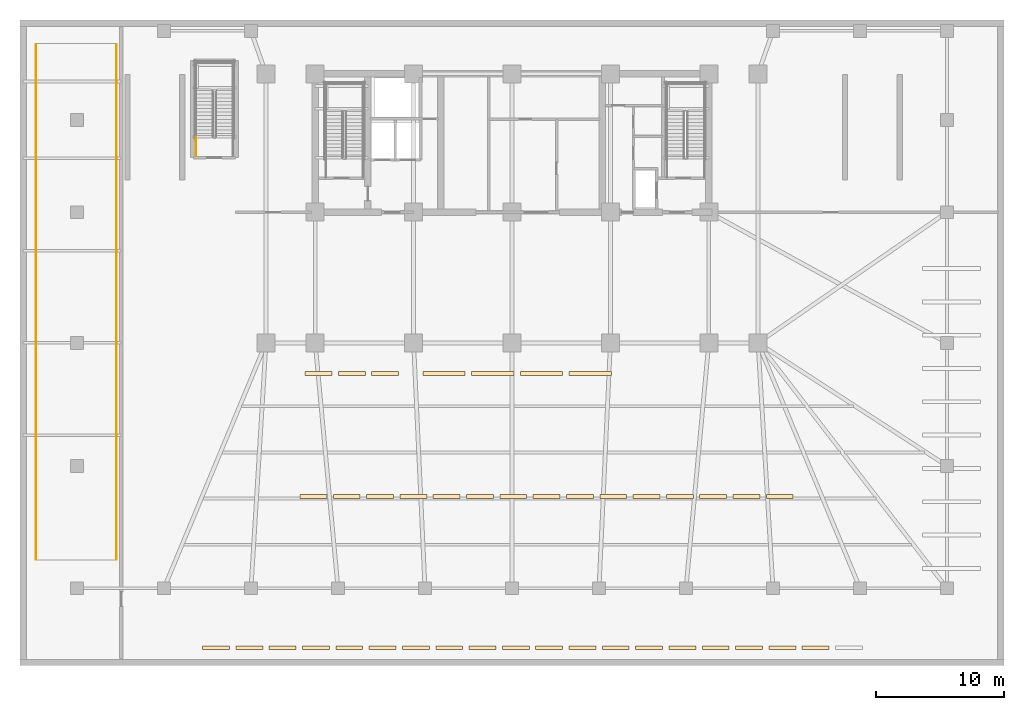
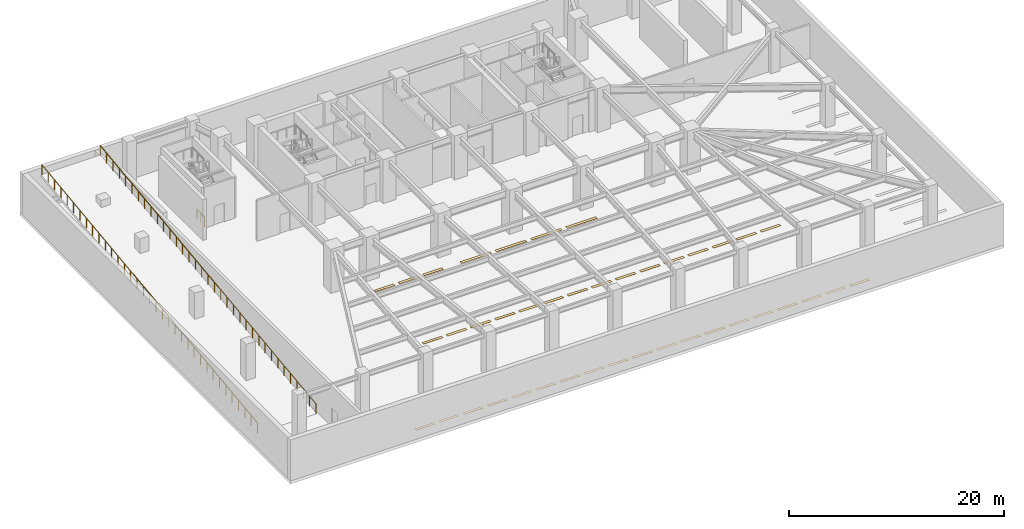
# One storey, part 5 of 8: 41 coverings, 3 railings.
"""IFC4 building model written with IfcOpenShell, lengths in metres."""

from ifc_helpers import new_model, si_unit, direction, frame, origin, origin_2d, place, context, subcontext, project, spatial, polyline, circle, outline, extrude, material, layer, layer_set, type_object, element, save


model = new_model("IFC4")

# Units and contexts
model_context = context("Model", 3, precision=1e-05, world=origin(), true_north=direction((0.0, 1.0)))
body_context = subcontext(model_context, "Body", "Model", "MODEL_VIEW")
ifc_project = project(units=[si_unit("LENGTHUNIT", "METRE"), si_unit("AREAUNIT", "SQUARE_METRE"), si_unit("VOLUMEUNIT", "CUBIC_METRE"), si_unit("PLANEANGLEUNIT", "RADIAN"), si_unit("MASSUNIT", "GRAM", prefix="KILO")], contexts=[model_context])

# Site, building, storey
site_placement = place(None, origin())
site = spatial("IfcSite", under=ifc_project, at=site_placement, CompositionType="ELEMENT")
building_placement = place(site_placement, origin())
building = spatial("IfcBuilding", under=site, at=building_placement, Name="Yelkora Congress Tower", CompositionType="ELEMENT")
storey_placement = place(building_placement, frame((0.0, 0.0, -5.0)))
storey = spatial("IfcBuildingStorey", under=building, at=storey_placement, Name="B01", CompositionType="ELEMENT", Elevation=-5.0)

# Coverings
ifc_material_1 = material(Name="Epoxy Resin Traffic Coating Grade E40", Category="plastic")
ifc_layer_1 = layer(ifc_material_1, 0.010009765625)
ifc_layer_set_1 = layer_set([ifc_layer_1], Name="Epoxy Resin Traffic Coating Grade E40")
covering_type = type_object("IfcCoveringType", Name="COV-PARK-BAY-10", PredefinedType="FLOORING", material=ifc_layer_set_1)
covering_1_placement = place(storey_placement, origin())
element("IfcCovering", 1, at=covering_1_placement, inside=storey, type_object=covering_type, Name="Parking Bay Marking PK-S01", PredefinedType="FLOORING", context=body_context, shape_type="SweptSolid", body=[
    extrude(outline(polyline([(14.25, 1.25), (16.35009765625, 1.25), (16.35009765625, 1.550048828125), (14.25, 1.550048828125), (14.25, 1.25)])), origin(), (0.0, 0.0, 1.0), 0.010009765625),
])
covering_2_placement = place(storey_placement, origin())
element("IfcCovering", 2, at=covering_2_placement, inside=storey, type_object=covering_type, Name="Parking Bay Marking PK-S02", PredefinedType="FLOORING", context=body_context, shape_type="SweptSolid", body=[
    extrude(outline(polyline([(16.85009765625, 1.25), (18.949951171875, 1.25), (18.949951171875, 1.550048828125), (16.85009765625, 1.550048828125), (16.85009765625, 1.25)])), origin(), (0.0, 0.0, 1.0), 0.010009765625),
])
covering_3_placement = place(storey_placement, origin())
element("IfcCovering", 3, at=covering_3_placement, inside=storey, type_object=covering_type, Name="Parking Bay Marking PK-S03", PredefinedType="FLOORING", context=body_context, shape_type="SweptSolid", body=[
    extrude(outline(polyline([(19.449951171875, 1.25), (21.550048828125, 1.25), (21.550048828125, 1.550048828125), (19.449951171875, 1.550048828125), (19.449951171875, 1.25)])), origin(), (0.0, 0.0, 1.0), 0.010009765625),
])
covering_4_placement = place(storey_placement, origin())
element("IfcCovering", 4, at=covering_4_placement, inside=storey, type_object=covering_type, Name="Parking Bay Marking PK-S04", PredefinedType="FLOORING", context=body_context, shape_type="SweptSolid", body=[
    extrude(outline(polyline([(22.050048828125, 1.25), (24.14990234375, 1.25), (24.14990234375, 1.550048828125), (22.050048828125, 1.550048828125), (22.050048828125, 1.25)])), origin(), (0.0, 0.0, 1.0), 0.010009765625),
])
covering_5_placement = place(storey_placement, origin())
element("IfcCovering", 5, at=covering_5_placement, inside=storey, type_object=covering_type, Name="Parking Bay Marking PK-S05", PredefinedType="FLOORING", context=body_context, shape_type="SweptSolid", body=[
    extrude(outline(polyline([(24.64990234375, 1.25), (26.75, 1.25), (26.75, 1.550048828125), (24.64990234375, 1.550048828125), (24.64990234375, 1.25)])), origin(), (0.0, 0.0, 1.0), 0.010009765625),
])
covering_6_placement = place(storey_placement, origin())
element("IfcCovering", 6, at=covering_6_placement, inside=storey, type_object=covering_type, Name="Parking Bay Marking PK-S06", PredefinedType="FLOORING", context=body_context, shape_type="SweptSolid", body=[
    extrude(outline(polyline([(27.25, 1.25), (29.35009765625, 1.25), (29.35009765625, 1.550048828125), (27.25, 1.550048828125), (27.25, 1.25)])), origin(), (0.0, 0.0, 1.0), 0.010009765625),
])
covering_7_placement = place(storey_placement, origin())
element("IfcCovering", 7, at=covering_7_placement, inside=storey, type_object=covering_type, Name="Parking Bay Marking PK-S07", PredefinedType="FLOORING", context=body_context, shape_type="SweptSolid", body=[
    extrude(outline(polyline([(29.85009765625, 1.25), (31.949951171875, 1.25), (31.949951171875, 1.550048828125), (29.85009765625, 1.550048828125), (29.85009765625, 1.25)])), origin(), (0.0, 0.0, 1.0), 0.010009765625),
])
covering_8_placement = place(storey_placement, origin())
element("IfcCovering", 8, at=covering_8_placement, inside=storey, type_object=covering_type, Name="Parking Bay Marking PK-S08", PredefinedType="FLOORING", context=body_context, shape_type="SweptSolid", body=[
    extrude(outline(polyline([(32.449951171875, 1.25), (34.550048828125, 1.25), (34.550048828125, 1.550048828125), (32.449951171875, 1.550048828125), (32.449951171875, 1.25)])), origin(), (0.0, 0.0, 1.0), 0.010009765625),
])
covering_9_placement = place(storey_placement, origin())
element("IfcCovering", 9, at=covering_9_placement, inside=storey, type_object=covering_type, Name="Parking Bay Marking PK-S09", PredefinedType="FLOORING", context=body_context, shape_type="SweptSolid", body=[
    extrude(outline(polyline([(35.050048828125, 1.25), (37.14990234375, 1.25), (37.14990234375, 1.550048828125), (35.050048828125, 1.550048828125), (35.050048828125, 1.25)])), origin(), (0.0, 0.0, 1.0), 0.010009765625),
])
covering_10_placement = place(storey_placement, origin())
element("IfcCovering", 10, at=covering_10_placement, inside=storey, type_object=covering_type, Name="Parking Bay Marking PK-S10", PredefinedType="FLOORING", context=body_context, shape_type="SweptSolid", body=[
    extrude(outline(polyline([(37.64990234375, 1.25), (39.75, 1.25), (39.75, 1.550048828125), (37.64990234375, 1.550048828125), (37.64990234375, 1.25)])), origin(), (0.0, 0.0, 1.0), 0.010009765625),
])
covering_11_placement = place(storey_placement, origin())
element("IfcCovering", 11, at=covering_11_placement, inside=storey, type_object=covering_type, Name="Parking Bay Marking PK-S11", PredefinedType="FLOORING", context=body_context, shape_type="SweptSolid", body=[
    extrude(outline(polyline([(40.25, 1.25), (42.35009765625, 1.25), (42.35009765625, 1.550048828125), (40.25, 1.550048828125), (40.25, 1.25)])), origin(), (0.0, 0.0, 1.0), 0.010009765625),
])
covering_12_placement = place(storey_placement, origin())
element("IfcCovering", 12, at=covering_12_placement, inside=storey, type_object=covering_type, Name="Parking Bay Marking PK-S12", PredefinedType="FLOORING", context=body_context, shape_type="SweptSolid", body=[
    extrude(outline(polyline([(42.85009765625, 1.25), (44.949951171875, 1.25), (44.949951171875, 1.550048828125), (42.85009765625, 1.550048828125), (42.85009765625, 1.25)])), origin(), (0.0, 0.0, 1.0), 0.010009765625),
])
covering_13_placement = place(storey_placement, origin())
element("IfcCovering", 13, at=covering_13_placement, inside=storey, type_object=covering_type, Name="Parking Bay Marking PK-S13", PredefinedType="FLOORING", context=body_context, shape_type="SweptSolid", body=[
    extrude(outline(polyline([(45.449951171875, 1.25), (47.550048828125, 1.25), (47.550048828125, 1.550048828125), (45.449951171875, 1.550048828125), (45.449951171875, 1.25)])), origin(), (0.0, 0.0, 1.0), 0.010009765625),
])
covering_14_placement = place(storey_placement, origin())
element("IfcCovering", 14, at=covering_14_placement, inside=storey, type_object=covering_type, Name="Parking Bay Marking PK-S14", PredefinedType="FLOORING", context=body_context, shape_type="SweptSolid", body=[
    extrude(outline(polyline([(48.050048828125, 1.25), (50.14990234375, 1.25), (50.14990234375, 1.550048828125), (48.050048828125, 1.550048828125), (48.050048828125, 1.25)])), origin(), (0.0, 0.0, 1.0), 0.010009765625),
])
covering_15_placement = place(storey_placement, origin())
element("IfcCovering", 15, at=covering_15_placement, inside=storey, type_object=covering_type, Name="Parking Bay Marking PK-S15", PredefinedType="FLOORING", context=body_context, shape_type="SweptSolid", body=[
    extrude(outline(polyline([(50.64990234375, 1.25), (52.75, 1.25), (52.75, 1.550048828125), (50.64990234375, 1.550048828125), (50.64990234375, 1.25)])), origin(), (0.0, 0.0, 1.0), 0.010009765625),
])
covering_16_placement = place(storey_placement, origin())
element("IfcCovering", 16, at=covering_16_placement, inside=storey, type_object=covering_type, Name="Parking Bay Marking PK-S16", PredefinedType="FLOORING", context=body_context, shape_type="SweptSolid", body=[
    extrude(outline(polyline([(53.25, 1.25), (55.35009765625, 1.25), (55.35009765625, 1.550048828125), (53.25, 1.550048828125), (53.25, 1.25)])), origin(), (0.0, 0.0, 1.0), 0.010009765625),
])
covering_17_placement = place(storey_placement, origin())
element("IfcCovering", 17, at=covering_17_placement, inside=storey, type_object=covering_type, Name="Parking Bay Marking PK-S17", PredefinedType="FLOORING", context=body_context, shape_type="SweptSolid", body=[
    extrude(outline(polyline([(55.85009765625, 1.25), (57.949951171875, 1.25), (57.949951171875, 1.550048828125), (55.85009765625, 1.550048828125), (55.85009765625, 1.25)])), origin(), (0.0, 0.0, 1.0), 0.010009765625),
])
covering_18_placement = place(storey_placement, origin())
element("IfcCovering", 18, at=covering_18_placement, inside=storey, type_object=covering_type, Name="Parking Bay Marking PK-S18", PredefinedType="FLOORING", context=body_context, shape_type="SweptSolid", body=[
    extrude(outline(polyline([(58.449951171875, 1.25), (60.550048828125, 1.25), (60.550048828125, 1.550048828125), (58.449951171875, 1.550048828125), (58.449951171875, 1.25)])), origin(), (0.0, 0.0, 1.0), 0.010009765625),
])
covering_19_placement = place(storey_placement, origin())
element("IfcCovering", 19, at=covering_19_placement, inside=storey, type_object=covering_type, Name="Parking Bay Marking PK-S19", PredefinedType="FLOORING", context=body_context, shape_type="SweptSolid", body=[
    extrude(outline(polyline([(61.050048828125, 1.25), (63.14990234375, 1.25), (63.14990234375, 1.550048828125), (61.050048828125, 1.550048828125), (61.050048828125, 1.25)])), origin(), (0.0, 0.0, 1.0), 0.010009765625),
])
covering_20_placement = place(storey_placement, origin())
element("IfcCovering", 20, at=covering_20_placement, inside=storey, type_object=covering_type, Name="Parking Bay Marking PK-S31", PredefinedType="FLOORING", context=body_context, shape_type="SweptSolid", body=[
    extrude(outline(polyline([(21.85009765625, 13.050048828125), (23.949951171875, 13.050048828125), (23.949951171875, 13.35009765625), (21.85009765625, 13.35009765625), (21.85009765625, 13.050048828125)])), origin(), (0.0, 0.0, 1.0), 0.010009765625),
])
covering_21_placement = place(storey_placement, origin())
element("IfcCovering", 21, at=covering_21_placement, inside=storey, type_object=covering_type, Name="Parking Bay Marking PK-S32", PredefinedType="FLOORING", context=body_context, shape_type="SweptSolid", body=[
    extrude(outline(polyline([(24.449951171875, 13.050048828125), (26.550048828125, 13.050048828125), (26.550048828125, 13.35009765625), (24.449951171875, 13.35009765625), (24.449951171875, 13.050048828125)])), origin(), (0.0, 0.0, 1.0), 0.010009765625),
])
covering_22_placement = place(storey_placement, origin())
element("IfcCovering", 22, at=covering_22_placement, inside=storey, type_object=covering_type, Name="Parking Bay Marking PK-S33", PredefinedType="FLOORING", context=body_context, shape_type="SweptSolid", body=[
    extrude(outline(polyline([(27.050048828125, 13.050048828125), (29.14990234375, 13.050048828125), (29.14990234375, 13.35009765625), (27.050048828125, 13.35009765625), (27.050048828125, 13.050048828125)])), origin(), (0.0, 0.0, 1.0), 0.010009765625),
])
covering_23_placement = place(storey_placement, origin())
element("IfcCovering", 23, at=covering_23_placement, inside=storey, type_object=covering_type, Name="Parking Bay Marking PK-S34", PredefinedType="FLOORING", context=body_context, shape_type="SweptSolid", body=[
    extrude(outline(polyline([(29.64990234375, 13.050048828125), (31.75, 13.050048828125), (31.75, 13.35009765625), (29.64990234375, 13.35009765625), (29.64990234375, 13.050048828125)])), origin(), (0.0, 0.0, 1.0), 0.010009765625),
])
covering_24_placement = place(storey_placement, origin())
element("IfcCovering", 24, at=covering_24_placement, inside=storey, type_object=covering_type, Name="Parking Bay Marking PK-S35", PredefinedType="FLOORING", context=body_context, shape_type="SweptSolid", body=[
    extrude(outline(polyline([(32.25, 13.050048828125), (34.35009765625, 13.050048828125), (34.35009765625, 13.35009765625), (32.25, 13.35009765625), (32.25, 13.050048828125)])), origin(), (0.0, 0.0, 1.0), 0.010009765625),
])
covering_25_placement = place(storey_placement, origin())
element("IfcCovering", 25, at=covering_25_placement, inside=storey, type_object=covering_type, Name="Parking Bay Marking PK-S36", PredefinedType="FLOORING", context=body_context, shape_type="SweptSolid", body=[
    extrude(outline(polyline([(34.85009765625, 13.050048828125), (36.949951171875, 13.050048828125), (36.949951171875, 13.35009765625), (34.85009765625, 13.35009765625), (34.85009765625, 13.050048828125)])), origin(), (0.0, 0.0, 1.0), 0.010009765625),
])
covering_26_placement = place(storey_placement, origin())
element("IfcCovering", 26, at=covering_26_placement, inside=storey, type_object=covering_type, Name="Parking Bay Marking PK-S37", PredefinedType="FLOORING", context=body_context, shape_type="SweptSolid", body=[
    extrude(outline(polyline([(37.449951171875, 13.050048828125), (39.550048828125, 13.050048828125), (39.550048828125, 13.35009765625), (37.449951171875, 13.35009765625), (37.449951171875, 13.050048828125)])), origin(), (0.0, 0.0, 1.0), 0.010009765625),
])
covering_27_placement = place(storey_placement, origin())
element("IfcCovering", 27, at=covering_27_placement, inside=storey, type_object=covering_type, Name="Parking Bay Marking PK-S38", PredefinedType="FLOORING", context=body_context, shape_type="SweptSolid", body=[
    extrude(outline(polyline([(40.050048828125, 13.050048828125), (42.14990234375, 13.050048828125), (42.14990234375, 13.35009765625), (40.050048828125, 13.35009765625), (40.050048828125, 13.050048828125)])), origin(), (0.0, 0.0, 1.0), 0.010009765625),
])
covering_28_placement = place(storey_placement, origin())
element("IfcCovering", 28, at=covering_28_placement, inside=storey, type_object=covering_type, Name="Parking Bay Marking PK-S39", PredefinedType="FLOORING", context=body_context, shape_type="SweptSolid", body=[
    extrude(outline(polyline([(42.64990234375, 13.050048828125), (44.75, 13.050048828125), (44.75, 13.35009765625), (42.64990234375, 13.35009765625), (42.64990234375, 13.050048828125)])), origin(), (0.0, 0.0, 1.0), 0.010009765625),
])
covering_29_placement = place(storey_placement, origin())
element("IfcCovering", 29, at=covering_29_placement, inside=storey, type_object=covering_type, Name="Parking Bay Marking PK-S40", PredefinedType="FLOORING", context=body_context, shape_type="SweptSolid", body=[
    extrude(outline(polyline([(45.25, 13.050048828125), (47.35009765625, 13.050048828125), (47.35009765625, 13.35009765625), (45.25, 13.35009765625), (45.25, 13.050048828125)])), origin(), (0.0, 0.0, 1.0), 0.010009765625),
])
covering_30_placement = place(storey_placement, origin())
element("IfcCovering", 30, at=covering_30_placement, inside=storey, type_object=covering_type, Name="Parking Bay Marking PK-S41", PredefinedType="FLOORING", context=body_context, shape_type="SweptSolid", body=[
    extrude(outline(polyline([(47.85009765625, 13.050048828125), (49.949951171875, 13.050048828125), (49.949951171875, 13.35009765625), (47.85009765625, 13.35009765625), (47.85009765625, 13.050048828125)])), origin(), (0.0, 0.0, 1.0), 0.010009765625),
])
covering_31_placement = place(storey_placement, origin())
element("IfcCovering", 31, at=covering_31_placement, inside=storey, type_object=covering_type, Name="Parking Bay Marking PK-S42", PredefinedType="FLOORING", context=body_context, shape_type="SweptSolid", body=[
    extrude(outline(polyline([(50.449951171875, 13.050048828125), (52.550048828125, 13.050048828125), (52.550048828125, 13.35009765625), (50.449951171875, 13.35009765625), (50.449951171875, 13.050048828125)])), origin(), (0.0, 0.0, 1.0), 0.010009765625),
])
covering_32_placement = place(storey_placement, origin())
element("IfcCovering", 32, at=covering_32_placement, inside=storey, type_object=covering_type, Name="Parking Bay Marking PK-S43", PredefinedType="FLOORING", context=body_context, shape_type="SweptSolid", body=[
    extrude(outline(polyline([(53.050048828125, 13.050048828125), (55.14990234375, 13.050048828125), (55.14990234375, 13.35009765625), (53.050048828125, 13.35009765625), (53.050048828125, 13.050048828125)])), origin(), (0.0, 0.0, 1.0), 0.010009765625),
])
covering_33_placement = place(storey_placement, origin())
element("IfcCovering", 33, at=covering_33_placement, inside=storey, type_object=covering_type, Name="Parking Bay Marking PK-S44", PredefinedType="FLOORING", context=body_context, shape_type="SweptSolid", body=[
    extrude(outline(polyline([(55.64990234375, 13.050048828125), (57.75, 13.050048828125), (57.75, 13.35009765625), (55.64990234375, 13.35009765625), (55.64990234375, 13.050048828125)])), origin(), (0.0, 0.0, 1.0), 0.010009765625),
])
covering_34_placement = place(storey_placement, origin())
element("IfcCovering", 34, at=covering_34_placement, inside=storey, type_object=covering_type, Name="Parking Bay Marking PK-S45", PredefinedType="FLOORING", context=body_context, shape_type="SweptSolid", body=[
    extrude(outline(polyline([(58.25, 13.050048828125), (60.35009765625, 13.050048828125), (60.35009765625, 13.35009765625), (58.25, 13.35009765625), (58.25, 13.050048828125)])), origin(), (0.0, 0.0, 1.0), 0.010009765625),
])
covering_35_placement = place(storey_placement, origin())
element("IfcCovering", 35, at=covering_35_placement, inside=storey, type_object=covering_type, Name="Parking Bay Marking PK-S46", PredefinedType="FLOORING", context=body_context, shape_type="SweptSolid", body=[
    extrude(outline(polyline([(22.25, 22.64990234375), (24.35009765625, 22.64990234375), (24.35009765625, 22.949951171875), (22.25, 22.949951171875), (22.25, 22.64990234375)])), origin(), (0.0, 0.0, 1.0), 0.010009765625),
])
covering_36_placement = place(storey_placement, origin())
element("IfcCovering", 36, at=covering_36_placement, inside=storey, type_object=covering_type, Name="Parking Bay Marking PK-S47", PredefinedType="FLOORING", context=body_context, shape_type="SweptSolid", body=[
    extrude(outline(polyline([(24.85009765625, 22.64990234375), (26.949951171875, 22.64990234375), (26.949951171875, 22.949951171875), (24.85009765625, 22.949951171875), (24.85009765625, 22.64990234375)])), origin(), (0.0, 0.0, 1.0), 0.010009765625),
])
covering_37_placement = place(storey_placement, origin())
element("IfcCovering", 37, at=covering_37_placement, inside=storey, type_object=covering_type, Name="Parking Bay Marking PK-S48", PredefinedType="FLOORING", context=body_context, shape_type="SweptSolid", body=[
    extrude(outline(polyline([(27.449951171875, 22.64990234375), (29.550048828125, 22.64990234375), (29.550048828125, 22.949951171875), (27.449951171875, 22.949951171875), (27.449951171875, 22.64990234375)])), origin(), (0.0, 0.0, 1.0), 0.010009765625),
])
covering_38_placement = place(storey_placement, origin())
element("IfcCovering", 38, at=covering_38_placement, inside=storey, type_object=covering_type, Name="Accessible Parking Bay Marking PK-A01", PredefinedType="FLOORING", context=body_context, shape_type="SweptSolid", body=[
    extrude(outline(polyline([(31.449951171875, 22.64990234375), (34.75, 22.64990234375), (34.75, 22.949951171875), (31.449951171875, 22.949951171875), (31.449951171875, 22.64990234375)])), origin(), (0.0, 0.0, 1.0), 0.010009765625),
])
covering_39_placement = place(storey_placement, origin())
element("IfcCovering", 39, at=covering_39_placement, inside=storey, type_object=covering_type, Name="Accessible Parking Bay Marking PK-A02", PredefinedType="FLOORING", context=body_context, shape_type="SweptSolid", body=[
    extrude(outline(polyline([(35.25, 22.64990234375), (38.550048828125, 22.64990234375), (38.550048828125, 22.949951171875), (35.25, 22.949951171875), (35.25, 22.64990234375)])), origin(), (0.0, 0.0, 1.0), 0.010009765625),
])
covering_40_placement = place(storey_placement, origin())
element("IfcCovering", 40, at=covering_40_placement, inside=storey, type_object=covering_type, Name="Accessible Parking Bay Marking PK-A03", PredefinedType="FLOORING", context=body_context, shape_type="SweptSolid", body=[
    extrude(outline(polyline([(39.050048828125, 22.64990234375), (42.35009765625, 22.64990234375), (42.35009765625, 22.949951171875), (39.050048828125, 22.949951171875), (39.050048828125, 22.64990234375)])), origin(), (0.0, 0.0, 1.0), 0.010009765625),
])
covering_41_placement = place(storey_placement, origin())
element("IfcCovering", 41, at=covering_41_placement, inside=storey, type_object=covering_type, Name="Accessible Parking Bay Marking PK-A04", PredefinedType="FLOORING", context=body_context, shape_type="SweptSolid", body=[
    extrude(outline(polyline([(42.85009765625, 22.64990234375), (46.14990234375, 22.64990234375), (46.14990234375, 22.949951171875), (42.85009765625, 22.949951171875), (42.85009765625, 22.64990234375)])), origin(), (0.0, 0.0, 1.0), 0.010009765625),
])

# Railings
ifc_material_2 = material(Name="Stainless steel 316L and laminated glass infill", Category="steel")
ifc_layer_2 = layer(ifc_material_2, 0.080078125)
ifc_layer_set_2 = layer_set([ifc_layer_2], Name="Stainless steel 316L and laminated glass infill")
railing_type_1 = type_object("IfcRailingType", Name="RAIL-EXT-GUARD-1150", PredefinedType="GUARDRAIL", material=ifc_layer_set_2)
railing_1_placement = place(storey_placement, frame((1.260009765625, 8.300048828125, 0.0)))
element("IfcRailing", 42, at=railing_1_placement, inside=storey, type_object=railing_type_1, Name="B01 Vehicle Ramp Edge Guardrail W", PredefinedType="GUARDRAIL", context=body_context, shape_type="SweptSolid", body=[
    extrude(circle(Radius=0.02392578125, at=origin_2d()), frame((0.0, 0.0, 1.1259765625), z_axis=(0.0, 0.992353627421, 0.123427218006), x_axis=(-1.0, 0.0, 0.0)), (0.0, 0.0, 1.0), 40.509765625),
    extrude(circle(Radius=0.02099609375, at=origin_2d()), origin(), (0.0, 0.0, 1.0), 1.101806640625),
    extrude(circle(Radius=0.02099609375, at=origin_2d()), frame((0.0, 1.182373046875, 0.14697265625)), (0.0, 0.0, 1.0), 1.101806640625),
    extrude(circle(Radius=0.02099609375, at=origin_2d()), frame((0.0, 2.36474609375, 0.294189453125)), (0.0, 0.0, 1.0), 1.101806640625),
    extrude(circle(Radius=0.02099609375, at=origin_2d()), frame((0.0, 3.547119140625, 0.441162109375)), (0.0, 0.0, 1.0), 1.101806640625),
    extrude(circle(Radius=0.02099609375, at=origin_2d()), frame((0.0, 4.7294921875, 0.588134765625)), (0.0, 0.0, 1.0), 1.101806640625),
    extrude(circle(Radius=0.02099609375, at=origin_2d()), frame((0.0, 5.911865234375, 0.7353515625)), (0.0, 0.0, 1.0), 1.101806640625),
    extrude(circle(Radius=0.02099609375, at=origin_2d()), frame((0.0, 7.093994140625, 0.88232421875)), (0.0, 0.0, 1.0), 1.101806640625),
    extrude(circle(Radius=0.02099609375, at=origin_2d()), frame((0.0, 8.2763671875, 1.029296875)), (0.0, 0.0, 1.0), 1.101806640625),
    extrude(circle(Radius=0.02099609375, at=origin_2d()), frame((0.0, 9.458740234375, 1.176513671875)), (0.0, 0.0, 1.0), 1.101806640625),
    extrude(circle(Radius=0.02099609375, at=origin_2d()), frame((0.0, 10.64111328125, 1.323486328125)), (0.0, 0.0, 1.0), 1.101806640625),
    extrude(circle(Radius=0.02099609375, at=origin_2d()), frame((0.0, 11.823486328125, 1.470703125)), (0.0, 0.0, 1.0), 1.101806640625),
    extrude(circle(Radius=0.02099609375, at=origin_2d()), frame((0.0, 13.005859375, 1.61767578125)), (0.0, 0.0, 1.0), 1.101806640625),
    extrude(circle(Radius=0.02099609375, at=origin_2d()), frame((0.0, 14.188232421875, 1.7646484375)), (0.0, 0.0, 1.0), 1.101806640625),
    extrude(circle(Radius=0.02099609375, at=origin_2d()), frame((0.0, 15.37060546875, 1.911865234375)), (0.0, 0.0, 1.0), 1.101806640625),
    extrude(circle(Radius=0.02099609375, at=origin_2d()), frame((0.0, 16.552978515625, 2.058837890625)), (0.0, 0.0, 1.0), 1.101806640625),
    extrude(circle(Radius=0.02099609375, at=origin_2d()), frame((0.0, 17.7353515625, 2.205810546875)), (0.0, 0.0, 1.0), 1.101806640625),
    extrude(circle(Radius=0.02099609375, at=origin_2d()), frame((0.0, 18.917724609375, 2.35302734375)), (0.0, 0.0, 1.0), 1.101806640625),
    extrude(circle(Radius=0.02099609375, at=origin_2d()), frame((0.0, 20.10009765625, 2.5)), (0.0, 0.0, 1.0), 1.101806640625),
    extrude(circle(Radius=0.02099609375, at=origin_2d()), frame((0.0, 21.2822265625, 2.64697265625)), (0.0, 0.0, 1.0), 1.101806640625),
    extrude(circle(Radius=0.02099609375, at=origin_2d()), frame((0.0, 22.464599609375, 2.794189453125)), (0.0, 0.0, 1.0), 1.101806640625),
    extrude(circle(Radius=0.02099609375, at=origin_2d()), frame((0.0, 23.64697265625, 2.941162109375)), (0.0, 0.0, 1.0), 1.101806640625),
    extrude(circle(Radius=0.02099609375, at=origin_2d()), frame((0.0, 24.829345703125, 3.088134765625)), (0.0, 0.0, 1.0), 1.101806640625),
    extrude(circle(Radius=0.02099609375, at=origin_2d()), frame((0.0, 26.01171875, 3.2353515625)), (0.0, 0.0, 1.0), 1.101806640625),
    extrude(circle(Radius=0.02099609375, at=origin_2d()), frame((0.0, 27.194091796875, 3.38232421875)), (0.0, 0.0, 1.0), 1.101806640625),
    extrude(circle(Radius=0.02099609375, at=origin_2d()), frame((0.0, 28.37646484375, 3.529296875)), (0.0, 0.0, 1.0), 1.101806640625),
    extrude(circle(Radius=0.02099609375, at=origin_2d()), frame((0.0, 29.558837890625, 3.676513671875)), (0.0, 0.0, 1.0), 1.101806640625),
    extrude(circle(Radius=0.02099609375, at=origin_2d()), frame((0.0, 30.7412109375, 3.823486328125)), (0.0, 0.0, 1.0), 1.101806640625),
    extrude(circle(Radius=0.02099609375, at=origin_2d()), frame((0.0, 31.923583984375, 3.970703125)), (0.0, 0.0, 1.0), 1.101806640625),
    extrude(circle(Radius=0.02099609375, at=origin_2d()), frame((0.0, 33.10595703125, 4.11767578125)), (0.0, 0.0, 1.0), 1.101806640625),
    extrude(circle(Radius=0.02099609375, at=origin_2d()), frame((0.0, 34.2880859375, 4.2646484375)), (0.0, 0.0, 1.0), 1.101806640625),
    extrude(circle(Radius=0.02099609375, at=origin_2d()), frame((0.0, 35.470458984375, 4.411865234375)), (0.0, 0.0, 1.0), 1.101806640625),
    extrude(circle(Radius=0.02099609375, at=origin_2d()), frame((0.0, 36.65283203125, 4.558837890625)), (0.0, 0.0, 1.0), 1.101806640625),
    extrude(circle(Radius=0.02099609375, at=origin_2d()), frame((0.0, 37.835205078125, 4.705810546875)), (0.0, 0.0, 1.0), 1.101806640625),
    extrude(circle(Radius=0.02099609375, at=origin_2d()), frame((0.0, 39.017578125, 4.85302734375)), (0.0, 0.0, 1.0), 1.101806640625),
    extrude(circle(Radius=0.02099609375, at=origin_2d()), frame((0.0, 40.199951171875, 5.0)), (0.0, 0.0, 1.0), 1.101806640625),
])
railing_2_placement = place(storey_placement, frame((7.5400390625, 8.300048828125, 0.0)))
element("IfcRailing", 43, at=railing_2_placement, inside=storey, type_object=railing_type_1, Name="B01 Vehicle Ramp Edge Guardrail E", PredefinedType="GUARDRAIL", context=body_context, shape_type="SweptSolid", body=[
    extrude(circle(Radius=0.02392578125, at=origin_2d()), frame((0.0, 0.0, 1.1259765625), z_axis=(0.0, 0.992353627421, 0.123427218006), x_axis=(-1.0, 0.0, 0.0)), (0.0, 0.0, 1.0), 40.509765625),
    extrude(circle(Radius=0.02099609375, at=origin_2d()), origin(), (0.0, 0.0, 1.0), 1.101806640625),
    extrude(circle(Radius=0.02099609375, at=origin_2d()), frame((0.0, 1.182373046875, 0.14697265625)), (0.0, 0.0, 1.0), 1.101806640625),
    extrude(circle(Radius=0.02099609375, at=origin_2d()), frame((0.0, 2.36474609375, 0.294189453125)), (0.0, 0.0, 1.0), 1.101806640625),
    extrude(circle(Radius=0.02099609375, at=origin_2d()), frame((0.0, 3.547119140625, 0.441162109375)), (0.0, 0.0, 1.0), 1.101806640625),
    extrude(circle(Radius=0.02099609375, at=origin_2d()), frame((0.0, 4.7294921875, 0.588134765625)), (0.0, 0.0, 1.0), 1.101806640625),
    extrude(circle(Radius=0.02099609375, at=origin_2d()), frame((0.0, 5.911865234375, 0.7353515625)), (0.0, 0.0, 1.0), 1.101806640625),
    extrude(circle(Radius=0.02099609375, at=origin_2d()), frame((0.0, 7.093994140625, 0.88232421875)), (0.0, 0.0, 1.0), 1.101806640625),
    extrude(circle(Radius=0.02099609375, at=origin_2d()), frame((0.0, 8.2763671875, 1.029296875)), (0.0, 0.0, 1.0), 1.101806640625),
    extrude(circle(Radius=0.02099609375, at=origin_2d()), frame((0.0, 9.458740234375, 1.176513671875)), (0.0, 0.0, 1.0), 1.101806640625),
    extrude(circle(Radius=0.02099609375, at=origin_2d()), frame((0.0, 10.64111328125, 1.323486328125)), (0.0, 0.0, 1.0), 1.101806640625),
    extrude(circle(Radius=0.02099609375, at=origin_2d()), frame((0.0, 11.823486328125, 1.470703125)), (0.0, 0.0, 1.0), 1.101806640625),
    extrude(circle(Radius=0.02099609375, at=origin_2d()), frame((0.0, 13.005859375, 1.61767578125)), (0.0, 0.0, 1.0), 1.101806640625),
    extrude(circle(Radius=0.02099609375, at=origin_2d()), frame((0.0, 14.188232421875, 1.7646484375)), (0.0, 0.0, 1.0), 1.101806640625),
    extrude(circle(Radius=0.02099609375, at=origin_2d()), frame((0.0, 15.37060546875, 1.911865234375)), (0.0, 0.0, 1.0), 1.101806640625),
    extrude(circle(Radius=0.02099609375, at=origin_2d()), frame((0.0, 16.552978515625, 2.058837890625)), (0.0, 0.0, 1.0), 1.101806640625),
    extrude(circle(Radius=0.02099609375, at=origin_2d()), frame((0.0, 17.7353515625, 2.205810546875)), (0.0, 0.0, 1.0), 1.101806640625),
    extrude(circle(Radius=0.02099609375, at=origin_2d()), frame((0.0, 18.917724609375, 2.35302734375)), (0.0, 0.0, 1.0), 1.101806640625),
    extrude(circle(Radius=0.02099609375, at=origin_2d()), frame((0.0, 20.10009765625, 2.5)), (0.0, 0.0, 1.0), 1.101806640625),
    extrude(circle(Radius=0.02099609375, at=origin_2d()), frame((0.0, 21.2822265625, 2.64697265625)), (0.0, 0.0, 1.0), 1.101806640625),
    extrude(circle(Radius=0.02099609375, at=origin_2d()), frame((0.0, 22.464599609375, 2.794189453125)), (0.0, 0.0, 1.0), 1.101806640625),
    extrude(circle(Radius=0.02099609375, at=origin_2d()), frame((0.0, 23.64697265625, 2.941162109375)), (0.0, 0.0, 1.0), 1.101806640625),
    extrude(circle(Radius=0.02099609375, at=origin_2d()), frame((0.0, 24.829345703125, 3.088134765625)), (0.0, 0.0, 1.0), 1.101806640625),
    extrude(circle(Radius=0.02099609375, at=origin_2d()), frame((0.0, 26.01171875, 3.2353515625)), (0.0, 0.0, 1.0), 1.101806640625),
    extrude(circle(Radius=0.02099609375, at=origin_2d()), frame((0.0, 27.194091796875, 3.38232421875)), (0.0, 0.0, 1.0), 1.101806640625),
    extrude(circle(Radius=0.02099609375, at=origin_2d()), frame((0.0, 28.37646484375, 3.529296875)), (0.0, 0.0, 1.0), 1.101806640625),
    extrude(circle(Radius=0.02099609375, at=origin_2d()), frame((0.0, 29.558837890625, 3.676513671875)), (0.0, 0.0, 1.0), 1.101806640625),
    extrude(circle(Radius=0.02099609375, at=origin_2d()), frame((0.0, 30.7412109375, 3.823486328125)), (0.0, 0.0, 1.0), 1.101806640625),
    extrude(circle(Radius=0.02099609375, at=origin_2d()), frame((0.0, 31.923583984375, 3.970703125)), (0.0, 0.0, 1.0), 1.101806640625),
    extrude(circle(Radius=0.02099609375, at=origin_2d()), frame((0.0, 33.10595703125, 4.11767578125)), (0.0, 0.0, 1.0), 1.101806640625),
    extrude(circle(Radius=0.02099609375, at=origin_2d()), frame((0.0, 34.2880859375, 4.2646484375)), (0.0, 0.0, 1.0), 1.101806640625),
    extrude(circle(Radius=0.02099609375, at=origin_2d()), frame((0.0, 35.470458984375, 4.411865234375)), (0.0, 0.0, 1.0), 1.101806640625),
    extrude(circle(Radius=0.02099609375, at=origin_2d()), frame((0.0, 36.65283203125, 4.558837890625)), (0.0, 0.0, 1.0), 1.101806640625),
    extrude(circle(Radius=0.02099609375, at=origin_2d()), frame((0.0, 37.835205078125, 4.705810546875)), (0.0, 0.0, 1.0), 1.101806640625),
    extrude(circle(Radius=0.02099609375, at=origin_2d()), frame((0.0, 39.017578125, 4.85302734375)), (0.0, 0.0, 1.0), 1.101806640625),
    extrude(circle(Radius=0.02099609375, at=origin_2d()), frame((0.0, 40.199951171875, 5.0)), (0.0, 0.0, 1.0), 1.101806640625),
])
ifc_material_3 = material(Name="Painted galvanised steel stair well guard with vertical infill", Category="steel")
ifc_layer_3 = layer(ifc_material_3, 0.06005859375)
ifc_layer_set_3 = layer_set([ifc_layer_3], Name="Painted galvanised steel stair well guard with vertical infill")
railing_type_2 = type_object("IfcRailingType", Name="RAIL-STAIR-GUARD-1120", PredefinedType="GUARDRAIL", material=ifc_layer_set_3)
railing_3_placement = place(storey_placement, frame((13.75, 39.800048828125, 0.0)))
element("IfcRailing", 44, at=railing_3_placement, inside=storey, type_object=railing_type_2, Name="ST-B1 B01 Stair Well Guardrail 9", PredefinedType="GUARDRAIL", context=body_context, shape_type="SweptSolid", body=[
    extrude(circle(Radius=0.02392578125, at=origin_2d()), frame((0.0, 0.0, 1.09619140625), z_axis=(0.0, 1.0, 0.0), x_axis=(-1.0, 0.0, 0.0)), (0.0, 0.0, 1.0), 1.449951171875),
    extrude(circle(Radius=0.02099609375, at=origin_2d()), origin(), (0.0, 0.0, 1.0), 1.072021484375),
    extrude(circle(Radius=0.02099609375, at=origin_2d()), frame((0.0, 0.72509765625, 0.0)), (0.0, 0.0, 1.0), 1.072021484375),
    extrude(circle(Radius=0.02099609375, at=origin_2d()), frame((0.0, 1.449951171875, 0.0)), (0.0, 0.0, 1.0), 1.072021484375),
])

save(model, "model.ifc")
